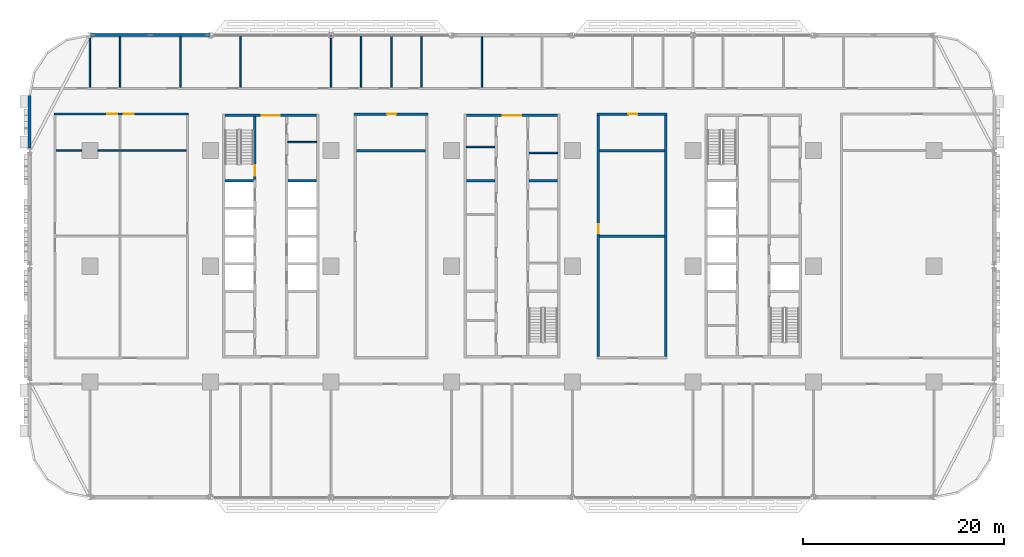
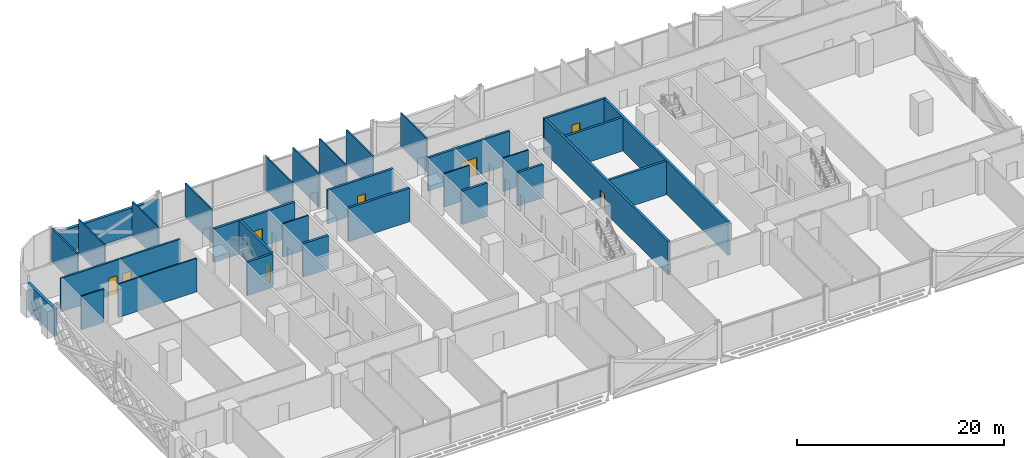
# One storey, part 12 of 27: 31 walls, 8 doors, 8 openings.
"""IFC4 building model written with IfcOpenShell, lengths in metres."""

from ifc_helpers import new_model, si_unit, direction, frame, frame_2d, origin, place, context, subcontext, project, spatial, rectangle, extrude, material, layer, layer_set, type_object, element, fill, save


model = new_model("IFC4")

# Units and contexts
model_context = context("Model", 3, precision=1e-05, world=origin(), true_north=direction((0.0, 1.0)))
body_context = subcontext(model_context, "Body", "Model", "MODEL_VIEW")
ifc_project = project(units=[si_unit("LENGTHUNIT", "METRE"), si_unit("AREAUNIT", "SQUARE_METRE"), si_unit("VOLUMEUNIT", "CUBIC_METRE"), si_unit("PLANEANGLEUNIT", "RADIAN"), si_unit("MASSUNIT", "GRAM", prefix="KILO")], contexts=[model_context])

# Site, building, storey
site_placement = place(None, origin())
site = spatial("IfcSite", under=ifc_project, at=site_placement, CompositionType="ELEMENT")
building_placement = place(site_placement, origin())
building = spatial("IfcBuilding", under=site, at=building_placement, Name="Mahtab Terrace Research Tower", CompositionType="ELEMENT")
storey_placement = place(building_placement, frame((0.0, 0.0, 28.699951171875)))
storey = spatial("IfcBuildingStorey", under=building, at=storey_placement, Name="L06", CompositionType="ELEMENT", Elevation=28.699951171875)

# Walls
ifc_material_1 = material(Name="Gypsum board partition")
ifc_layer_1 = layer(ifc_material_1, 0.14990234375)
ifc_layer_set_1 = layer_set([ifc_layer_1], Name="Core partition 150")
wall_type_1 = type_object("IfcWallType", Name="Core partition 150", PredefinedType="PARTITIONING", material=ifc_layer_set_1)
for number, where, z_axis, x_axis, name in (
    (1, (-22.300048828125, 12.35498046875, 0.0), (0.0, 0.0, 1.0), (1.0, 0.0, 0.0), "Core wall A pEN936"),
    (2, (-4.550048828125, 11.875, 0.0), (0.0, 0.0, 1.0), (1.0, 0.0, 0.0), "Core wall B pWN888"),
    (3, (1.699951171875, 11.27490234375, 0.0), (0.0, 0.0, 1.0), (1.0, 0.0, 0.0), "Core wall B pEN828"),
):
    element("IfcWall", number, at=place(storey_placement, frame(where, z_axis=z_axis, x_axis=x_axis)), inside=storey, type_object=wall_type_1, Name=name, PredefinedType="PARTITIONING", context=body_context, shape_type="SweptSolid", body=[
        extrude(rectangle(XDim=2.85009765625, YDim=0.14990234375, at=frame_2d((1.425048828125, 0.0))), origin(), (0.0, 0.0, 1.0), 3.9599609375),
    ])

# Wall, opening, door
ifc_material_2 = material(Name="Concrete C70/85", Category="concrete")
ifc_layer_2 = layer(ifc_material_2, 0.25)
ifc_layer_set_2 = layer_set([ifc_layer_2], Name="Core wall 250")
wall_type_2 = type_object("IfcWallType", Name="Core wall 250", PredefinedType="SOLIDWALL", material=ifc_layer_set_2)
wall_1_placement = place(storey_placement, frame((-28.550048828125, 15.0, 0.0), z_axis=(0.0, 0.0, 1.0), x_axis=(1.0, 0.0, 0.0)))
wall_1 = element("IfcWall", 4, at=wall_1_placement, inside=storey, type_object=wall_type_2, Name="Core wall A endN", PredefinedType="SOLIDWALL", context=body_context, shape_type="SweptSolid", body=[
    extrude(rectangle(XDim=9.10009765625, YDim=0.25, at=frame_2d((4.550048828125, 0.0))), origin(), (0.0, 0.0, 1.0), 3.9599609375),
])
opening_1_placement = place(wall_1_placement, frame((3.64990234375, 0.0, 0.0)))
opening_1 = element("IfcOpeningElement", 5, at=opening_1_placement, cuts=wall_1, Name="Opening A-N1", PredefinedType="OPENING", context=body_context, shape_type="SweptSolid", body=[
    extrude(rectangle(XDim=1.800048828125, YDim=2.10009765625, at=frame_2d((0.89990234375, 1.050048828125))), frame((0.0, 0.135009765625, 0.0), z_axis=(0.0, -1.0, 0.0), x_axis=(1.0, 0.0, 0.0)), (0.0, 0.0, 1.0), 0.27001953125),
])
ifc_material_3 = material(Name="Steel fire door", Category="steel")
door_type_1 = type_object("IfcDoorType", Name="Lobby double door 1800x2100 1 HR", OperationType="DOUBLE_DOOR_SINGLE_SWING", PredefinedType="DOOR", material=ifc_material_3)
door_1_placement = place(opening_1_placement, origin())
door_1 = element("IfcDoor", 6, at=door_1_placement, inside=storey, type_object=door_type_1, Name="Core entrance door A N", OperationType="DOUBLE_DOOR_SINGLE_SWING", OverallHeight=2.10009765625, OverallWidth=1.800048828125, PredefinedType="DOOR", context=body_context, shape_type="SweptSolid", body=[
    extrude(rectangle(XDim=1.800048828125, YDim=2.10009765625, at=frame_2d((0.89990234375, 1.050048828125))), frame((0.0, 0.02490234375, 0.0), z_axis=(0.0, -1.0, 0.0), x_axis=(1.0, 0.0, 0.0)), (0.0, 0.0, 1.0), 0.050048828125),
])
fill(opening_1, door_1)

wall_2_placement = place(storey_placement, frame((-25.574951171875, 14.875, 0.0), z_axis=(0.0, 0.0, 1.0), x_axis=(0.0, -1.0, 0.0)))
wall_2 = element("IfcWall", 7, at=wall_2_placement, inside=storey, type_object=wall_type_2, Name="Core wall A innerWN", PredefinedType="SOLIDWALL", context=body_context, shape_type="SweptSolid", body=[
    extrude(rectangle(XDim=6.25, YDim=0.25, at=frame_2d((3.125, 0.0))), origin(), (0.0, 0.0, 1.0), 3.9599609375),
])
opening_2_placement = place(wall_2_placement, frame((4.85009765625, 0.0, 0.0)))
opening_2 = element("IfcOpeningElement", 8, at=opening_2_placement, cuts=wall_2, Name="Opening A-ST1", PredefinedType="OPENING", context=body_context, shape_type="SweptSolid", body=[
    extrude(rectangle(XDim=1.0, YDim=2.10009765625, at=frame_2d((0.5, 1.050048828125))), frame((0.0, 0.135009765625, 0.0), z_axis=(0.0, -1.0, 0.0), x_axis=(1.0, 0.0, 0.0)), (0.0, 0.0, 1.0), 0.27001953125),
])
door_type_2 = type_object("IfcDoorType", Name="Stair door 1000x2100 1.5 HR", OperationType="NOTDEFINED", PredefinedType="DOOR", material=ifc_material_3)
door_2_placement = place(opening_2_placement, origin())
door_2 = element("IfcDoor", 9, at=door_2_placement, inside=storey, type_object=door_type_2, Name="Stair door ST1 L06", OperationType="SINGLE_SWING_RIGHT", OverallHeight=2.10009765625, OverallWidth=1.0, PredefinedType="DOOR", context=body_context, shape_type="SweptSolid", body=[
    extrude(rectangle(XDim=1.0, YDim=2.10009765625, at=frame_2d((0.5, 1.050048828125))), frame((0.0, 0.02490234375, 0.0), z_axis=(0.0, -1.0, 0.0), x_axis=(1.0, 0.0, 0.0)), (0.0, 0.0, 1.0), 0.050048828125),
])
fill(opening_2, door_2)

# Walls
for number, where, z_axis, x_axis, name in (
    (10, (-28.550048828125, 8.5, 0.0), (0.0, 0.0, 1.0), (1.0, 0.0, 0.0), "Core wall A divW4"),
    (11, (-22.300048828125, 8.5, 0.0), (0.0, 0.0, 1.0), (1.0, 0.0, 0.0), "Core wall A divE4"),
):
    element("IfcWall", number, at=place(storey_placement, frame(where, z_axis=z_axis, x_axis=x_axis)), inside=storey, type_object=wall_type_2, Name=name, PredefinedType="SOLIDWALL", context=body_context, shape_type="SweptSolid", body=[
        extrude(rectangle(XDim=2.85009765625, YDim=0.25, at=frame_2d((1.425048828125, 0.0))), origin(), (0.0, 0.0, 1.0), 3.9599609375),
    ])

# Wall, opening, door
wall_3_placement = place(storey_placement, frame((-4.550048828125, 15.0, 0.0), z_axis=(0.0, 0.0, 1.0), x_axis=(1.0, 0.0, 0.0)))
wall_3 = element("IfcWall", 12, at=wall_3_placement, inside=storey, type_object=wall_type_2, Name="Core wall B endN", PredefinedType="SOLIDWALL", context=body_context, shape_type="SweptSolid", body=[
    extrude(rectangle(XDim=9.10009765625, YDim=0.25, at=frame_2d((4.550048828125, 0.0))), origin(), (0.0, 0.0, 1.0), 3.9599609375),
])
opening_3_placement = place(wall_3_placement, frame((3.64990234375, 0.0, 0.0)))
opening_3 = element("IfcOpeningElement", 13, at=opening_3_placement, cuts=wall_3, Name="Opening B-N1", PredefinedType="OPENING", context=body_context, shape_type="SweptSolid", body=[
    extrude(rectangle(XDim=1.800048828125, YDim=2.10009765625, at=frame_2d((0.89990234375, 1.050048828125))), frame((0.0, 0.135009765625, 0.0), z_axis=(0.0, -1.0, 0.0), x_axis=(1.0, 0.0, 0.0)), (0.0, 0.0, 1.0), 0.27001953125),
])
door_3_placement = place(opening_3_placement, origin())
door_3 = element("IfcDoor", 14, at=door_3_placement, inside=storey, type_object=door_type_1, Name="Core entrance door B N", OperationType="DOUBLE_DOOR_SINGLE_SWING", OverallHeight=2.10009765625, OverallWidth=1.800048828125, PredefinedType="DOOR", context=body_context, shape_type="SweptSolid", body=[
    extrude(rectangle(XDim=1.800048828125, YDim=2.10009765625, at=frame_2d((0.89990234375, 1.050048828125))), frame((0.0, 0.02490234375, 0.0), z_axis=(0.0, -1.0, 0.0), x_axis=(1.0, 0.0, 0.0)), (0.0, 0.0, 1.0), 0.050048828125),
])
fill(opening_3, door_3)

# Walls
for number, where, z_axis, x_axis, name in (
    (15, (-4.550048828125, 8.5, 0.0), (0.0, 0.0, 1.0), (1.0, 0.0, 0.0), "Core wall B divW4"),
    (16, (1.699951171875, 8.5, 0.0), (0.0, 0.0, 1.0), (1.0, 0.0, 0.0), "Core wall B divE4"),
):
    element("IfcWall", number, at=place(storey_placement, frame(where, z_axis=z_axis, x_axis=x_axis)), inside=storey, type_object=wall_type_2, Name=name, PredefinedType="SOLIDWALL", context=body_context, shape_type="SweptSolid", body=[
        extrude(rectangle(XDim=2.85009765625, YDim=0.25, at=frame_2d((1.425048828125, 0.0))), origin(), (0.0, 0.0, 1.0), 3.9599609375),
    ])
ifc_material_4 = material(Name="Black aluminium cladding panel", Category="aluminium")
ifc_layer_3 = layer(ifc_material_4, 0.300048828125)
ifc_layer_set_3 = layer_set([ifc_layer_3], Name="Opaque facade wall 300")
wall_type_3 = type_object("IfcWallType", Name="Opaque facade wall 300", PredefinedType="NOTDEFINED", material=ifc_layer_set_3)
wall_4_placement = place(storey_placement, frame((-30.02783203125, 23.0, 0.0), z_axis=(0.0, 0.0, 1.0), x_axis=(-1.0, 0.0, 0.0)))
element("IfcWall", 17, at=wall_4_placement, inside=storey, type_object=wall_type_3, Name="Opaque facade wall L06 N9", PredefinedType="NOTDEFINED", context=body_context, shape_type="SweptSolid", body=[
    extrude(rectangle(XDim=11.9443359375, YDim=0.300048828125, at=frame_2d((5.97216796875, 0.0))), origin(), (0.0, 0.0, 1.0), 3.203125),
])
wall_5_placement = place(storey_placement, frame((-48.0, 17.0, 0.0), z_axis=(0.0, 0.0, 1.0), x_axis=(0.0, -1.0, 0.0)))
element("IfcWall", 18, at=wall_5_placement, inside=storey, type_object=wall_type_3, Name="Opaque facade wall L06 W14", PredefinedType="NOTDEFINED", context=body_context, shape_type="SweptSolid", body=[
    extrude(rectangle(XDim=5.2509765625, YDim=0.300048828125, at=frame_2d((2.62548828125, 0.0))), origin(), (0.0, 0.0, 1.0), 3.203125),
])
ifc_material_5 = material(Name="Masonry control area wall", Category="masonry")
ifc_layer_4 = layer(ifc_material_5, 0.25)
ifc_layer_set_4 = layer_set([ifc_layer_4], Name="WALL CONTROL AREA 250")
wall_type_4 = type_object("IfcWallType", Name="WALL CONTROL AREA 250", PredefinedType="PARTITIONING", material=ifc_layer_set_4)
wall_6_placement = place(storey_placement, frame((8.72509765625, 3.0, 0.0), z_axis=(0.0, 0.0, 1.0), x_axis=(1.0, 0.0, 0.0)))
element("IfcWall", 19, at=wall_6_placement, inside=storey, type_object=wall_type_4, Name="L06-W015", PredefinedType="PARTITIONING", context=body_context, shape_type="SweptSolid", body=[
    extrude(rectangle(XDim=6.449951171875, YDim=0.25, at=frame_2d((3.22509765625, 0.0))), origin(), (0.0, 0.0, 1.0), 3.9599609375),
])
wall_7_placement = place(storey_placement, frame((-15.47509765625, 11.5, 0.0), z_axis=(0.0, 0.0, 1.0), x_axis=(1.0, 0.0, 0.0)))
element("IfcWall", 20, at=wall_7_placement, inside=storey, type_object=wall_type_4, Name="L06-W018", PredefinedType="PARTITIONING", context=body_context, shape_type="SweptSolid", body=[
    extrude(rectangle(XDim=6.85009765625, YDim=0.25, at=frame_2d((3.425048828125, 0.0))), origin(), (0.0, 0.0, 1.0), 3.9599609375),
])
wall_8_placement = place(storey_placement, frame((8.72509765625, 11.5, 0.0), z_axis=(0.0, 0.0, 1.0), x_axis=(1.0, 0.0, 0.0)))
element("IfcWall", 21, at=wall_8_placement, inside=storey, type_object=wall_type_4, Name="L06-W019", PredefinedType="PARTITIONING", context=body_context, shape_type="SweptSolid", body=[
    extrude(rectangle(XDim=6.449951171875, YDim=0.25, at=frame_2d((3.22509765625, 0.0))), origin(), (0.0, 0.0, 1.0), 3.9599609375),
])

# Wall, opening, door
wall_9_placement = place(storey_placement, frame((-15.72509765625, 15.125, 0.0), z_axis=(0.0, 0.0, 1.0), x_axis=(1.0, 0.0, 0.0)))
wall_9 = element("IfcWall", 22, at=wall_9_placement, inside=storey, type_object=wall_type_4, Name="L06-W023", PredefinedType="PARTITIONING", context=body_context, shape_type="SweptSolid", body=[
    extrude(rectangle(XDim=7.35009765625, YDim=0.25, at=frame_2d((3.675048828125, 0.0))), origin(), (0.0, 0.0, 1.0), 3.9599609375),
])
opening_4_placement = place(wall_9_placement, frame((3.300048828125, 0.0, 0.0)))
opening_4 = element("IfcOpeningElement", 23, at=opening_4_placement, cuts=wall_9, Name="Opening L06-126", PredefinedType="OPENING", context=body_context, shape_type="SweptSolid", body=[
    extrude(rectangle(XDim=0.89990234375, YDim=2.10009765625, at=frame_2d((0.449951171875, 1.050048828125))), frame((0.0, 0.135009765625, 0.0), z_axis=(0.0, -1.0, 0.0), x_axis=(1.0, 0.0, 0.0)), (0.0, 0.0, 1.0), 0.27001953125),
])
ifc_material_6 = material(Name="Timber door leaf in steel frame", Category="steel")
door_type_3 = type_object("IfcDoorType", Name="DOOR 0900X2100 FD120", OperationType="SINGLE_SWING_LEFT", PredefinedType="DOOR", material=ifc_material_6)
door_4_placement = place(opening_4_placement, origin())
door_4 = element("IfcDoor", 24, at=door_4_placement, inside=storey, type_object=door_type_3, Name="Door L06-126", OperationType="SINGLE_SWING_LEFT", OverallHeight=2.10009765625, OverallWidth=0.89990234375, PredefinedType="DOOR", context=body_context, shape_type="SweptSolid", body=[
    extrude(rectangle(XDim=0.89990234375, YDim=2.10009765625, at=frame_2d((0.449951171875, 1.050048828125))), frame((0.0, 0.02490234375, 0.0), z_axis=(0.0, -1.0, 0.0), x_axis=(1.0, 0.0, 0.0)), (0.0, 0.0, 1.0), 0.050048828125),
])
fill(opening_4, door_4)

wall_10_placement = place(storey_placement, frame((8.47509765625, 15.125, 0.0), z_axis=(0.0, 0.0, 1.0), x_axis=(1.0, 0.0, 0.0)))
wall_10 = element("IfcWall", 25, at=wall_10_placement, inside=storey, type_object=wall_type_4, Name="L06-W024", PredefinedType="PARTITIONING", context=body_context, shape_type="SweptSolid", body=[
    extrude(rectangle(XDim=6.949951171875, YDim=0.25, at=frame_2d((3.47509765625, 0.0))), origin(), (0.0, 0.0, 1.0), 3.9599609375),
])
opening_5_placement = place(wall_10_placement, frame((3.10009765625, 0.0, 0.0)))
opening_5 = element("IfcOpeningElement", 26, at=opening_5_placement, cuts=wall_10, Name="Opening L06-127", PredefinedType="OPENING", context=body_context, shape_type="SweptSolid", body=[
    extrude(rectangle(XDim=0.89990234375, YDim=2.10009765625, at=frame_2d((0.449951171875, 1.050048828125))), frame((0.0, 0.135009765625, 0.0), z_axis=(0.0, -1.0, 0.0), x_axis=(1.0, 0.0, 0.0)), (0.0, 0.0, 1.0), 0.27001953125),
])
door_5_placement = place(opening_5_placement, origin())
door_5 = element("IfcDoor", 27, at=door_5_placement, inside=storey, type_object=door_type_3, Name="Door L06-127", OperationType="SINGLE_SWING_LEFT", OverallHeight=2.10009765625, OverallWidth=0.89990234375, PredefinedType="DOOR", context=body_context, shape_type="SweptSolid", body=[
    extrude(rectangle(XDim=0.89990234375, YDim=2.10009765625, at=frame_2d((0.449951171875, 1.050048828125))), frame((0.0, 0.02490234375, 0.0), z_axis=(0.0, -1.0, 0.0), x_axis=(1.0, 0.0, 0.0)), (0.0, 0.0, 1.0), 0.050048828125),
])
fill(opening_5, door_5)

wall_11_placement = place(storey_placement, frame((8.60009765625, -9.0, 0.0), z_axis=(0.0, 0.0, 1.0), x_axis=(0.0, 1.0, 0.0)))
wall_11 = element("IfcWall", 28, at=wall_11_placement, inside=storey, type_object=wall_type_4, Name="L06-W051", PredefinedType="PARTITIONING", context=body_context, shape_type="SweptSolid", body=[
    extrude(rectangle(XDim=24.0, YDim=0.25, at=frame_2d((12.0, 0.0))), origin(), (0.0, 0.0, 1.0), 3.9599609375),
])
opening_6_placement = place(wall_11_placement, frame((12.300048828125, 0.0, 0.0)))
opening_6 = element("IfcOpeningElement", 29, at=opening_6_placement, cuts=wall_11, Name="Opening L06-123", PredefinedType="OPENING", context=body_context, shape_type="SweptSolid", body=[
    extrude(rectangle(XDim=0.89990234375, YDim=2.10009765625, at=frame_2d((0.449951171875, 1.050048828125))), frame((0.0, 0.135009765625, 0.0), z_axis=(0.0, -1.0, 0.0), x_axis=(1.0, 0.0, 0.0)), (0.0, 0.0, 1.0), 0.27001953125),
])
door_6_placement = place(opening_6_placement, origin())
door_6 = element("IfcDoor", 30, at=door_6_placement, inside=storey, type_object=door_type_3, Name="Door L06-123", OperationType="SINGLE_SWING_LEFT", OverallHeight=2.10009765625, OverallWidth=0.89990234375, PredefinedType="DOOR", context=body_context, shape_type="SweptSolid", body=[
    extrude(rectangle(XDim=0.89990234375, YDim=2.10009765625, at=frame_2d((0.449951171875, 1.050048828125))), frame((0.0, 0.02490234375, 0.0), z_axis=(0.0, -1.0, 0.0), x_axis=(1.0, 0.0, 0.0)), (0.0, 0.0, 1.0), 0.050048828125),
])
fill(opening_6, door_6)

# Wall
wall_12_placement = place(storey_placement, frame((15.300048828125, -9.0, 0.0), z_axis=(0.0, 0.0, 1.0), x_axis=(0.0, 1.0, 0.0)))
element("IfcWall", 31, at=wall_12_placement, inside=storey, type_object=wall_type_4, Name="L06-W054", PredefinedType="PARTITIONING", context=body_context, shape_type="SweptSolid", body=[
    extrude(rectangle(XDim=24.0, YDim=0.25, at=frame_2d((12.0, 0.0))), origin(), (0.0, 0.0, 1.0), 3.9599609375),
])

# Wall, openings, doors
ifc_material_7 = material(Name="Gypsum board corridor wall on steel studs", Category="steel")
ifc_layer_5 = layer(ifc_material_7, 0.199951171875)
ifc_layer_set_5 = layer_set([ifc_layer_5], Name="WALL CORRIDOR 200")
wall_type_5 = type_object("IfcWallType", Name="WALL CORRIDOR 200", PredefinedType="PARTITIONING", material=ifc_layer_set_5)
wall_13_placement = place(storey_placement, frame((-45.550048828125, 15.125, 0.0), z_axis=(0.0, 0.0, 1.0), x_axis=(1.0, 0.0, 0.0)))
wall_13 = element("IfcWall", 32, at=wall_13_placement, inside=storey, type_object=wall_type_5, Name="L06-W022", PredefinedType="PARTITIONING", context=body_context, shape_type="SweptSolid", body=[
    extrude(rectangle(XDim=13.35009765625, YDim=0.199951171875, at=frame_2d((6.675048828125, 0.0))), origin(), (0.0, 0.0, 1.0), 3.9599609375),
])
opening_7_placement = place(wall_13_placement, frame((5.300048828125, 0.0, 0.0)))
opening_7 = element("IfcOpeningElement", 33, at=opening_7_placement, cuts=wall_13, Name="Opening L06-124", PredefinedType="OPENING", context=body_context, shape_type="SweptSolid", body=[
    extrude(rectangle(XDim=1.0, YDim=2.10009765625, at=frame_2d((0.5, 1.050048828125))), frame((0.0, 0.10986328125, 0.0), z_axis=(0.0, -1.0, 0.0), x_axis=(1.0, 0.0, 0.0)), (0.0, 0.0, 1.0), 0.219970703125),
])
opening_8_placement = place(wall_13_placement, frame((6.89990234375, 0.0, 0.0)))
opening_8 = element("IfcOpeningElement", 34, at=opening_8_placement, cuts=wall_13, Name="Opening L06-125", PredefinedType="OPENING", context=body_context, shape_type="SweptSolid", body=[
    extrude(rectangle(XDim=1.0, YDim=2.10009765625, at=frame_2d((0.5, 1.050048828125))), frame((0.0, 0.10986328125, 0.0), z_axis=(0.0, -1.0, 0.0), x_axis=(1.0, 0.0, 0.0)), (0.0, 0.0, 1.0), 0.219970703125),
])
door_type_4 = type_object("IfcDoorType", Name="DOOR 1000X2100 FD30S", OperationType="SINGLE_SWING_LEFT", PredefinedType="DOOR", material=ifc_material_6)
door_7_placement = place(opening_7_placement, origin())
door_7 = element("IfcDoor", 35, at=door_7_placement, inside=storey, type_object=door_type_4, Name="Door L06-124", OperationType="SINGLE_SWING_RIGHT", OverallHeight=2.10009765625, OverallWidth=1.0, PredefinedType="DOOR", context=body_context, shape_type="SweptSolid", body=[
    extrude(rectangle(XDim=1.0, YDim=2.10009765625, at=frame_2d((0.5, 1.050048828125))), frame((0.0, 0.02490234375, 0.0), z_axis=(0.0, -1.0, 0.0), x_axis=(1.0, 0.0, 0.0)), (0.0, 0.0, 1.0), 0.050048828125),
])
fill(opening_7, door_7)
door_8_placement = place(opening_8_placement, origin())
door_8 = element("IfcDoor", 36, at=door_8_placement, inside=storey, type_object=door_type_4, Name="Door L06-125", OperationType="SINGLE_SWING_LEFT", OverallHeight=2.10009765625, OverallWidth=1.0, PredefinedType="DOOR", context=body_context, shape_type="SweptSolid", body=[
    extrude(rectangle(XDim=1.0, YDim=2.10009765625, at=frame_2d((0.5, 1.050048828125))), frame((0.0, 0.02490234375, 0.0), z_axis=(0.0, -1.0, 0.0), x_axis=(1.0, 0.0, 0.0)), (0.0, 0.0, 1.0), 0.050048828125),
])
fill(opening_8, door_8)

# Walls
ifc_material_8 = material(Name="Gypsum board partition on steel studs", Category="steel")
ifc_layer_6 = layer(ifc_material_8, 0.14990234375)
ifc_layer_set_6 = layer_set([ifc_layer_6], Name="WALL PARTITION 150")
wall_type_6 = type_object("IfcWallType", Name="WALL PARTITION 150", PredefinedType="PARTITIONING", material=ifc_layer_set_6)
wall_14_placement = place(storey_placement, frame((-45.35009765625, 11.5, 0.0), z_axis=(0.0, 0.0, 1.0), x_axis=(1.0, 0.0, 0.0)))
element("IfcWall", 37, at=wall_14_placement, inside=storey, type_object=wall_type_6, Name="L06-W016", PredefinedType="PARTITIONING", context=body_context, shape_type="SweptSolid", body=[
    extrude(rectangle(XDim=2.550048828125, YDim=0.14990234375, at=frame_2d((1.27490234375, 0.0))), origin(), (0.0, 0.0, 1.0), 3.9599609375),
])
wall_15_placement = place(storey_placement, frame((-41.199951171875, 11.5, 0.0), z_axis=(0.0, 0.0, 1.0), x_axis=(1.0, 0.0, 0.0)))
element("IfcWall", 38, at=wall_15_placement, inside=storey, type_object=wall_type_6, Name="L06-W017", PredefinedType="PARTITIONING", context=body_context, shape_type="SweptSolid", body=[
    extrude(rectangle(XDim=8.800048828125, YDim=0.14990234375, at=frame_2d((4.39990234375, 0.0))), origin(), (0.0, 0.0, 1.0), 3.9599609375),
])
wall_16_placement = place(storey_placement, frame((-42.0, 17.800048828125, 0.0), z_axis=(0.0, 0.0, 1.0), x_axis=(0.0, 1.0, 0.0)))
element("IfcWall", 39, at=wall_16_placement, inside=storey, type_object=wall_type_6, Name="L06-W029", PredefinedType="PARTITIONING", context=body_context, shape_type="SweptSolid", body=[
    extrude(rectangle(XDim=5.047119140625, YDim=0.14990234375, at=frame_2d((2.5234375, 0.0))), origin(), (0.0, 0.0, 1.0), 3.9599609375),
])
for number, where, z_axis, x_axis, name in (
    (40, (-39.0, 17.800048828125, 0.0), (0.0, 0.0, 1.0), (0.0, 1.0, 0.0), "L06-W031"),
    (41, (-33.0, 17.800048828125, 0.0), (0.0, 0.0, 1.0), (0.0, 1.0, 0.0), "L06-W032"),
):
    element("IfcWall", number, at=place(storey_placement, frame(where, z_axis=z_axis, x_axis=x_axis)), inside=storey, type_object=wall_type_6, Name=name, PredefinedType="PARTITIONING", context=body_context, shape_type="SweptSolid", body=[
        extrude(rectangle(XDim=5.050048828125, YDim=0.14990234375, at=frame_2d((2.52490234375, 0.0))), origin(), (0.0, 0.0, 1.0), 3.9599609375),
    ])
for number, where, z_axis, x_axis, name in (
    (42, (-27.0, 17.800048828125, 0.0), (0.0, 0.0, 1.0), (0.0, 1.0, 0.0), "L06-W036"),
    (43, (-18.0, 17.800048828125, 0.0), (0.0, 0.0, 1.0), (0.0, 1.0, 0.0), "L06-W039"),
    (44, (-15.0, 17.800048828125, 0.0), (0.0, 0.0, 1.0), (0.0, 1.0, 0.0), "L06-W041"),
    (45, (-12.0, 17.800048828125, 0.0), (0.0, 0.0, 1.0), (0.0, 1.0, 0.0), "L06-W042"),
    (46, (-9.0, 17.800048828125, 0.0), (0.0, 0.0, 1.0), (0.0, 1.0, 0.0), "L06-W043"),
):
    element("IfcWall", number, at=place(storey_placement, frame(where, z_axis=z_axis, x_axis=x_axis)), inside=storey, type_object=wall_type_6, Name=name, PredefinedType="PARTITIONING", context=body_context, shape_type="SweptSolid", body=[
        extrude(rectangle(XDim=5.175048828125, YDim=0.14990234375, at=frame_2d((2.58740234375, 0.0))), origin(), (0.0, 0.0, 1.0), 3.9599609375),
    ])
wall_17_placement = place(storey_placement, frame((-3.0, 17.800048828125, 0.0), z_axis=(0.0, 0.0, 1.0), x_axis=(0.0, 1.0, 0.0)))
element("IfcWall", 47, at=wall_17_placement, inside=storey, type_object=wall_type_6, Name="L06-W047", PredefinedType="PARTITIONING", context=body_context, shape_type="SweptSolid", body=[
    extrude(rectangle(XDim=5.050048828125, YDim=0.14990234375, at=frame_2d((2.52490234375, 0.0))), origin(), (0.0, 0.0, 1.0), 3.9599609375),
])

save(model, "model.ifc")
